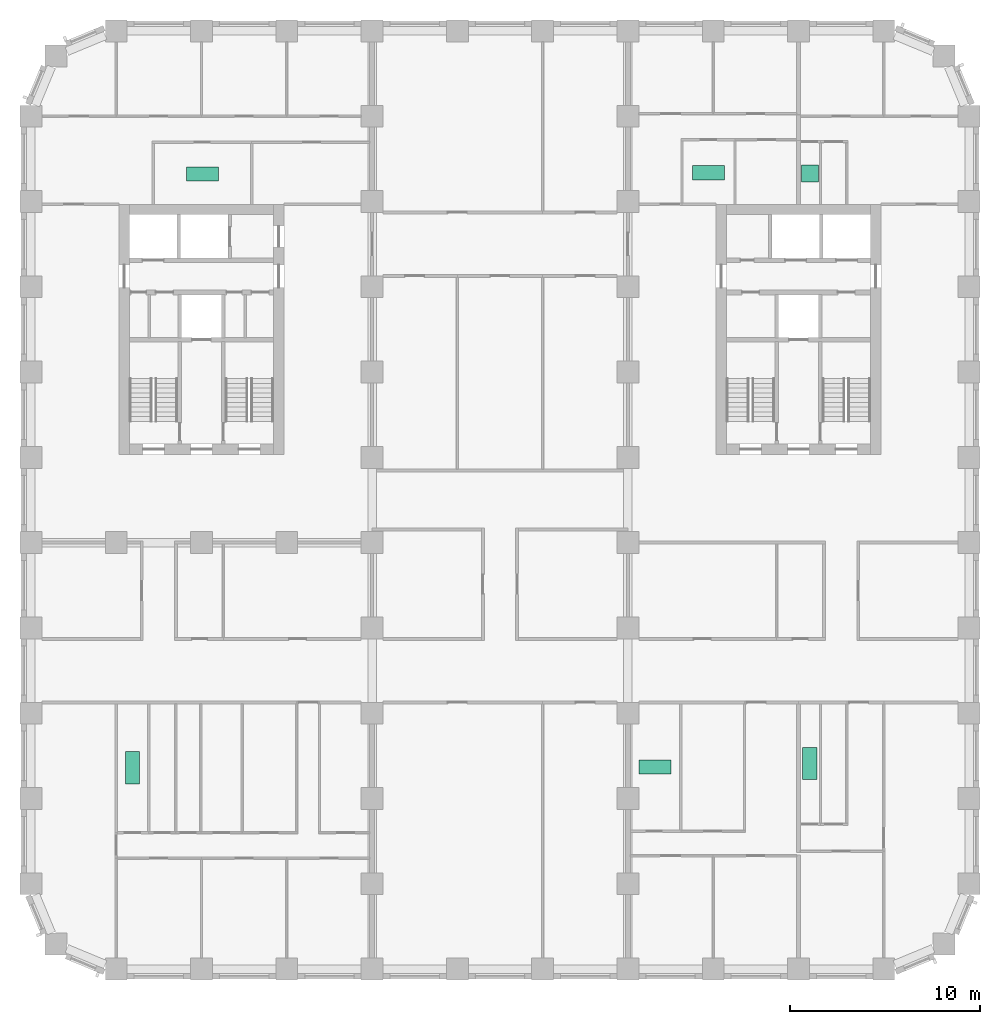
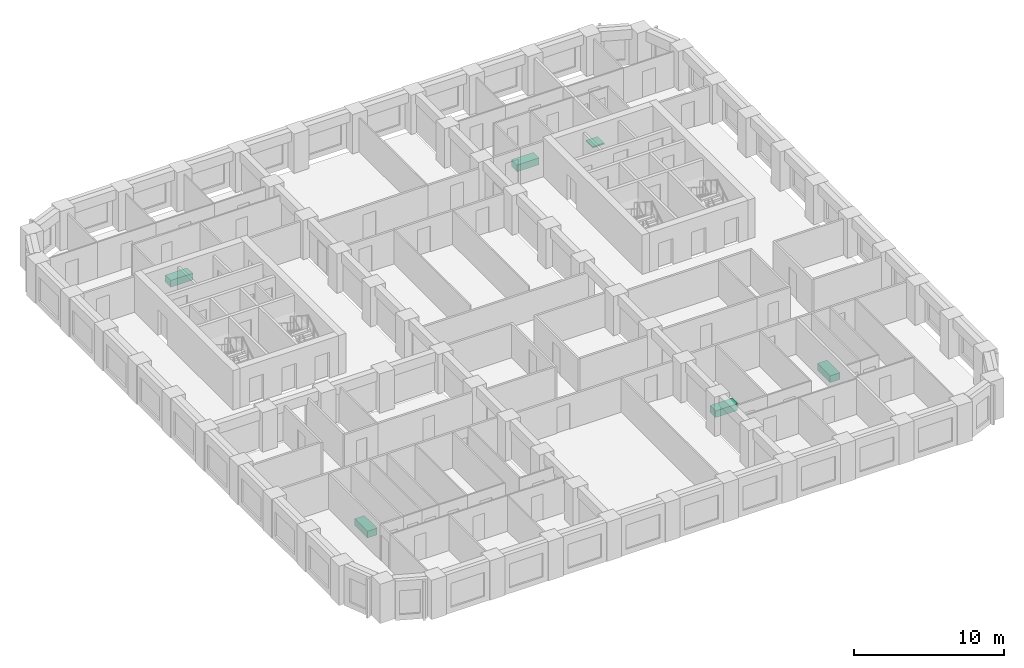
# One storey, part 13 of 13: 6 sanitary terminals.
"""IFC4 building model written with IfcOpenShell, lengths in metres."""

from ifc_helpers import new_model, si_unit, direction, frame, origin, origin_2d, place, context, subcontext, project, spatial, rectangle, extrude, material, type_object, element, save


model = new_model("IFC4")

# Units and contexts
model_context = context("Model", 3, precision=1e-05, world=origin(), true_north=direction((0.0, 1.0)))
body_context = subcontext(model_context, "Body", "Model", "MODEL_VIEW")
ifc_project = project(units=[si_unit("LENGTHUNIT", "METRE"), si_unit("AREAUNIT", "SQUARE_METRE"), si_unit("VOLUMEUNIT", "CUBIC_METRE"), si_unit("PLANEANGLEUNIT", "RADIAN"), si_unit("MASSUNIT", "GRAM", prefix="KILO")], contexts=[model_context])

# Site, building, storey
site_placement = place(None, origin())
site = spatial("IfcSite", under=ifc_project, at=site_placement, CompositionType="ELEMENT")
building_placement = place(site_placement, origin())
building = spatial("IfcBuilding", under=site, at=building_placement, Name="Girih Gate Residences", CompositionType="ELEMENT")
storey_placement = place(building_placement, frame((0.0, 0.0, 99.199951171875)))
storey = spatial("IfcBuildingStorey", under=building, at=storey_placement, Name="L27", CompositionType="ELEMENT", Elevation=99.199951171875)

# Sanitary terminals
ifc_material = material(Name="Acrylic")
sanitary_terminal_type_1 = type_object("IfcSanitaryTerminalType", Name="Bath 1700", PredefinedType="BATH", material=ifc_material)
sanitary_terminal_1_placement = place(storey_placement, frame((5.35791015625, 10.62890625, 0.0), z_axis=(0.0, 0.0, 1.0), x_axis=(1.0, 0.0, 0.0)))
element("IfcSanitaryTerminal", 1, at=sanitary_terminal_1_placement, inside=storey, type_object=sanitary_terminal_type_1, Name="Bath 1700 L27", PredefinedType="BATH", context=body_context, shape_type="SweptSolid", body=[
    extrude(rectangle(XDim=0.75, YDim=1.699951171875, at=origin_2d()), origin(), (0.0, 0.0, 1.0), 0.550048828125),
])
sanitary_terminal_2_placement = place(storey_placement, frame((9.047119140625, 41.9541015625, 0.0), z_axis=(0.0, 0.0, 1.0), x_axis=(1.0, 0.0, 0.0)))
element("IfcSanitaryTerminal", 2, at=sanitary_terminal_2_placement, inside=storey, type_object=sanitary_terminal_type_1, Name="Bath 1700 L27", PredefinedType="BATH", context=body_context, shape_type="SweptSolid", body=[
    extrude(rectangle(XDim=1.699951171875, YDim=0.75, at=origin_2d()), origin(), (0.0, 0.0, 1.0), 0.550048828125),
])
sanitary_terminal_3_placement = place(storey_placement, frame((41.097900390625, 10.84912109375, 0.0), z_axis=(0.0, 0.0, 1.0), x_axis=(1.0, 0.0, 0.0)))
element("IfcSanitaryTerminal", 3, at=sanitary_terminal_3_placement, inside=storey, type_object=sanitary_terminal_type_1, Name="Bath 1700 L27", PredefinedType="BATH", context=body_context, shape_type="SweptSolid", body=[
    extrude(rectangle(XDim=0.75, YDim=1.699951171875, at=origin_2d()), origin(), (0.0, 0.0, 1.0), 0.550048828125),
])
for number, where, z_axis, x_axis, name in (
    (4, (32.925048828125, 10.6689453125, 0.0), (0.0, 0.0, 1.0), (1.0, 0.0, 0.0), "Bath 1700 L27"),
    (5, (35.75, 42.02099609375, 0.0), (0.0, 0.0, 1.0), (1.0, 0.0, 0.0), "Bath 1700 L27"),
):
    element("IfcSanitaryTerminal", number, at=place(storey_placement, frame(where, z_axis=z_axis, x_axis=x_axis)), inside=storey, type_object=sanitary_terminal_type_1, Name=name, PredefinedType="BATH", context=body_context, shape_type="SweptSolid", body=[
        extrude(rectangle(XDim=1.699951171875, YDim=0.75, at=origin_2d()), origin(), (0.0, 0.0, 1.0), 0.550048828125),
    ])
sanitary_terminal_type_2 = type_object("IfcSanitaryTerminalType", Name="Shower tray 900", PredefinedType="SHOWER", material=ifc_material)
sanitary_terminal_4_placement = place(storey_placement, frame((41.097900390625, 41.97412109375, 0.0), z_axis=(0.0, 0.0, 1.0), x_axis=(1.0, 0.0, 0.0)))
element("IfcSanitaryTerminal", 6, at=sanitary_terminal_4_placement, inside=storey, type_object=sanitary_terminal_type_2, Name="Shower tray 900 L27", PredefinedType="SHOWER", context=body_context, shape_type="SweptSolid", body=[
    extrude(rectangle(XDim=0.89990234375, YDim=0.89990234375, at=origin_2d()), origin(), (0.0, 0.0, 1.0), 0.10009765625),
])

save(model, "model.ifc")
